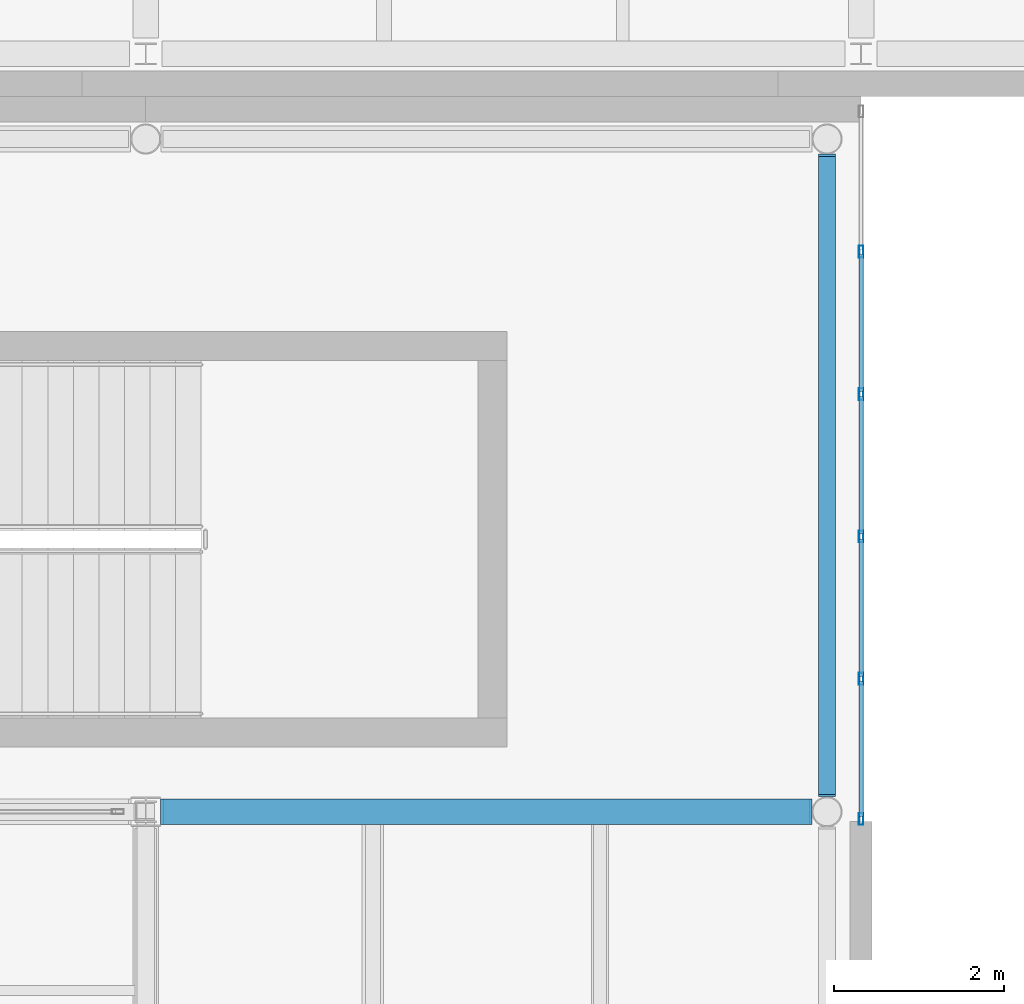
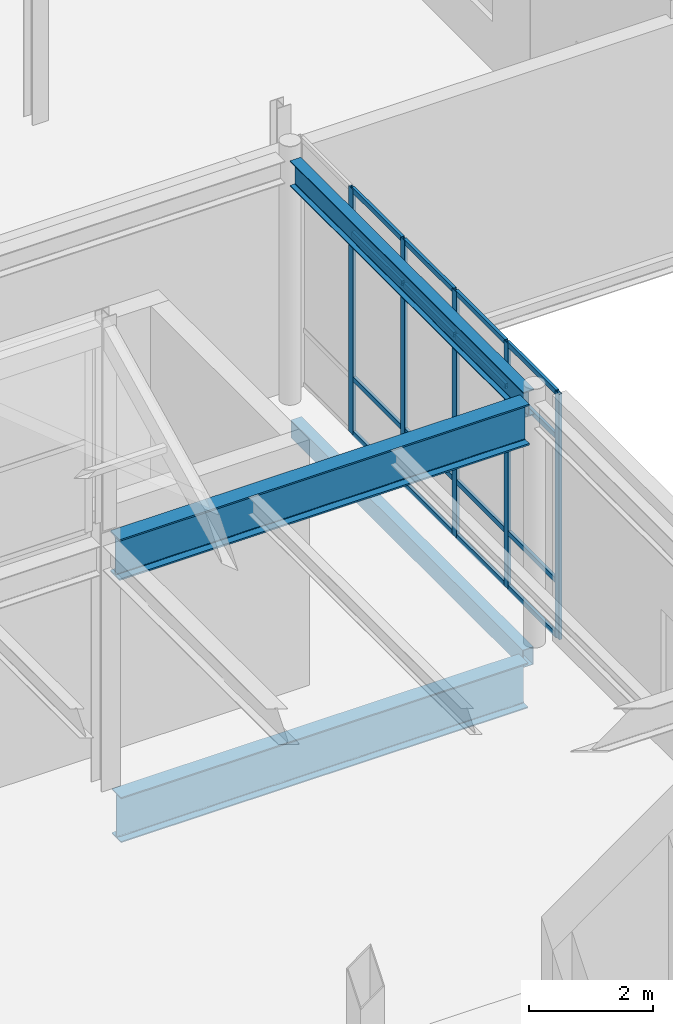
# One storey, part 47 of 91: 21 members, 4 beams, 1 element without a shape of its own.
"""IFC4 building model written with IfcOpenShell, lengths in metres."""

import ifcopenshell
import ifcopenshell.guid

model = None  # the IFC model being written
_history = None  # IfcOwnerHistory: only IFC2X3 demands one
_inside = {}  # id of a spatial element -> (the spatial element, [elements in it])
_under = {}  # id of a project, library or spatial element -> (it, [spatial elements below it])
_declared = {}  # id of a project -> (the project, [libraries it declares])
_typed = {}  # id of a type object -> (the type object, [elements of that type])
_made_of = {}  # id of a material, layer set ... -> (it, [elements and type objects made of it])


def new_model(schema):
    """Start an empty IFC model of exactly this schema.

    Asked for "IFC4X3", IfcOpenShell would pick the latest addendum, in which some entities
    have other attributes; the version numbers below select the first issue.
    IFC2X3 requires an IfcOwnerHistory on every rooted entity: one is made here for all.
    """
    global model, _history
    if schema == "IFC4X3":
        model = ifcopenshell.file(schema_version=(4, 3, 0, 0))
    else:
        model = ifcopenshell.file(schema=schema)
    _inside.clear()
    _under.clear()
    _declared.clear()
    _typed.clear()
    _made_of.clear()
    _history = None
    if model.schema == "IFC2X3":
        org = make("IfcOrganization", Name="unknown")
        user = make(
            "IfcPersonAndOrganization",
            ThePerson=make("IfcPerson", FamilyName="unknown"),
            TheOrganization=org,
        )
        app = make(
            "IfcApplication",
            ApplicationDeveloper=org,
            Version="unknown",
            ApplicationFullName="unknown",
            ApplicationIdentifier="unknown",
        )
        _history = make(
            "IfcOwnerHistory",
            OwningUser=user,
            OwningApplication=app,
            ChangeAction="ADDED",
            CreationDate=0,
        )
    return model


def make(cls, **values):
    """One entity of the class cls with the attributes given. An attribute that is None is left unset."""
    return model.create_entity(
        cls, **{name: value for name, value in values.items() if value is not None}
    )


def rooted(cls, **values):
    """An entity with a GlobalId (a new one), such as an element, a storey or a relation."""
    return make(cls, GlobalId=ifcopenshell.guid.new(), OwnerHistory=_history, **values)


def si_unit(unit_type, name, prefix=None):
    """IfcSIUnit, for example si_unit("LENGTHUNIT", "METRE", prefix="MILLI")."""
    return make("IfcSIUnit", UnitType=unit_type, Prefix=prefix, Name=name)


def assignment(units):
    """IfcUnitAssignment: the units of a project."""
    return None if units is None else make("IfcUnitAssignment", Units=units)


def point(xyz):
    """IfcCartesianPoint."""
    return None if xyz is None else make("IfcCartesianPoint", Coordinates=xyz)


def direction(xyz):
    """IfcDirection."""
    return None if xyz is None else make("IfcDirection", DirectionRatios=xyz)


def frame(location, z_axis=None, x_axis=None):
    """IfcAxis2Placement3D, a coordinate frame: its origin and axes. An axis left out is left unset."""
    return make(
        "IfcAxis2Placement3D",
        Location=point(location),
        Axis=direction(z_axis),
        RefDirection=direction(x_axis),
    )


def frame_2d(location, x_axis=None):
    """IfcAxis2Placement2D, a coordinate frame in the plane: its origin and x axis."""
    return make(
        "IfcAxis2Placement2D", Location=point(location), RefDirection=direction(x_axis)
    )


def origin():
    """The frame at (0, 0, 0) with its axes left unset."""
    return frame((0.0, 0.0, 0.0))


def origin_2d():
    """The frame at (0, 0) in the plane with its x axis left unset."""
    return frame_2d((0.0, 0.0))


def place(relative_to, where):
    """IfcLocalPlacement: puts the frame where relative to a parent placement (None: the world)."""
    return make(
        "IfcLocalPlacement", PlacementRelTo=relative_to, RelativePlacement=where
    )


def context(
    kind, dimensions, precision=None, world=None, true_north=None, identifier=None
):
    """IfcGeometricRepresentationContext, for example the 3D "Model" context."""
    return make(
        "IfcGeometricRepresentationContext",
        ContextIdentifier=identifier,
        ContextType=kind,
        CoordinateSpaceDimension=dimensions,
        Precision=precision,
        WorldCoordinateSystem=world,
        TrueNorth=true_north,
    )


def subcontext(parent, identifier, kind, view, scale=None):
    """IfcGeometricRepresentationSubContext, for example "Body" below "Model"."""
    return make(
        "IfcGeometricRepresentationSubContext",
        ContextIdentifier=identifier,
        ContextType=kind,
        ParentContext=parent,
        TargetScale=scale,
        TargetView=view,
    )


def project(units=None, contexts=None):
    """IfcProject with its units and contexts."""
    return rooted(
        "IfcProject",
        Name="project",
        RepresentationContexts=contexts,
        UnitsInContext=assignment(units),
    )


def spatial(cls, under=None, at=None, **own):
    """A site, building, storey or space (cls), placed at a placement, below another one or the project."""
    s = rooted(cls, ObjectPlacement=at, **own)
    if under is not None:
        _under.setdefault(under.id(), (under, []))[1].append(s)
    return s


def profile(cls, at=None, kind="AREA", **sizes):
    """A parametric profile (cls). Its sizes go by their IFC names, for example OverallWidth=200.0."""
    return make(cls, ProfileType=kind, Position=at, **sizes)


def hollow_rectangle(**sizes):
    """IfcRectangleHollowProfileDef."""
    return profile("IfcRectangleHollowProfileDef", **sizes)


def i_section(**sizes):
    """IfcIShapeProfileDef."""
    return profile("IfcIShapeProfileDef", **sizes)


def extrude(swept, where, along, depth):
    """IfcExtrudedAreaSolid: the profile swept, set in the frame where, extruded along a direction by depth."""
    return make(
        "IfcExtrudedAreaSolid",
        SweptArea=swept,
        Position=where,
        ExtrudedDirection=direction(along),
        Depth=depth,
    )


def shape(context_of_items, identifier, shape_type, items):
    """IfcShapeRepresentation: the items that make up one representation, for example the "Body"."""
    return make(
        "IfcShapeRepresentation",
        ContextOfItems=context_of_items,
        RepresentationIdentifier=identifier,
        RepresentationType=shape_type,
        Items=items,
    )


def material(Name=None, Category=None):
    """IfcMaterial."""
    return make("IfcMaterial", Name=Name, Category=Category)


def layer(
    of_material, thickness, ventilated=None, Name=None, Category=None, Priority=None
):
    """IfcMaterialLayer: one layer of a wall or slab, of a material (None: an air gap)."""
    return make(
        "IfcMaterialLayer",
        Material=of_material,
        LayerThickness=thickness,
        IsVentilated=ventilated,
        Name=Name,
        Category=Category,
        Priority=Priority,
    )


def layer_set(layers, Name=None):
    """IfcMaterialLayerSet."""
    return make("IfcMaterialLayerSet", MaterialLayers=layers, LayerSetName=Name)


def material_profile(
    of_material, cross_section, Name=None, Category=None, Priority=None
):
    """IfcMaterialProfile: a cross section and its material."""
    return make(
        "IfcMaterialProfile",
        Name=Name,
        Material=of_material,
        Profile=cross_section,
        Priority=Priority,
        Category=Category,
    )


def profile_set(profiles, Name=None, composite=None):
    """IfcMaterialProfileSet."""
    return make(
        "IfcMaterialProfileSet",
        Name=Name,
        MaterialProfiles=profiles,
        CompositeProfile=composite,
    )


def made_of(thing, what):
    """Note that an element or type object is made of a material, layer set ...; save() writes the relation."""
    if what is not None:
        _made_of.setdefault(what.id(), (what, []))[1].append(thing)
    return thing


def type_object(cls, material=None, **own):
    """A type object (cls), such as IfcWallType, which elements share."""
    return made_of(rooted(cls, **own), material)


def element(
    cls,
    number,
    at=None,
    inside=None,
    cuts=None,
    type_object=None,
    material=None,
    context=None,
    identifier="Body",
    shape_type=None,
    held_by="IfcProductDefinitionShape",
    body=None,
    shapes=None,
    **own,
):
    """One element of the class cls, such as IfcWall. Its Tag is "e" and its number.

    at: its placement. inside: the storey or other place that contains it. cuts: it is an
    opening in that element (IfcRelVoidsElement). A single representation is given by context,
    identifier, shape_type and body (its items); several are given by shapes. held_by: the class
    of the entity that holds the representations. save() writes the other relations.
    """
    e = rooted(cls, Tag="e%d" % number, ObjectPlacement=at, **own)
    if body is not None:
        shapes = [shape(context, identifier, shape_type, body)]
    if shapes is not None:
        e.Representation = make(held_by, Representations=shapes)
    if inside is not None:
        _inside.setdefault(inside.id(), (inside, []))[1].append(e)
    if cuts is not None:
        rooted(
            "IfcRelVoidsElement", RelatingBuildingElement=cuts, RelatedOpeningElement=e
        )
    if type_object is not None:
        _typed.setdefault(type_object.id(), (type_object, []))[1].append(e)
    return made_of(e, material)


def aggregate(whole, parts):
    """IfcRelAggregates: a whole, such as a stair, and the parts it consists of."""
    return rooted("IfcRelAggregates", RelatingObject=whole, RelatedObjects=parts)


def save(model, path):
    """Write the relations noted so far, then the file.

    IfcRelAggregates (storeys below a building ...), IfcRelContainedInSpatialStructure (elements
    in a storey), IfcRelDefinesByType, IfcRelAssociatesMaterial and IfcRelDeclares: one each for
    every whole, place, type object, material and project.
    """
    for whole, parts in _under.values():
        aggregate(whole, parts)
    for where, things in _inside.values():
        rooted(
            "IfcRelContainedInSpatialStructure",
            RelatedElements=things,
            RelatingStructure=where,
        )
    for kind, things in _typed.values():
        rooted("IfcRelDefinesByType", RelatedObjects=things, RelatingType=kind)
    for what, things in _made_of.values():
        rooted("IfcRelAssociatesMaterial", RelatedObjects=things, RelatingMaterial=what)
    for by, libraries in _declared.values():
        rooted("IfcRelDeclares", RelatingContext=by, RelatedDefinitions=libraries)
    model.write(path)


model = new_model("IFC4")

# Units and contexts
model_context = context("Model", 3, precision=1e-05, world=origin(), true_north=direction((0.0, 1.0)))
body_context = subcontext(model_context, "Body", "Model", "MODEL_VIEW")
ifc_project = project(units=[si_unit("LENGTHUNIT", "METRE"), si_unit("AREAUNIT", "SQUARE_METRE"), si_unit("VOLUMEUNIT", "CUBIC_METRE"), si_unit("PLANEANGLEUNIT", "RADIAN"), si_unit("MASSUNIT", "GRAM", prefix="KILO"), si_unit("THERMODYNAMICTEMPERATUREUNIT", "KELVIN")], contexts=[model_context])

# Site, building, storey
site_placement = place(None, origin())
site = spatial("IfcSite", under=ifc_project, at=site_placement, CompositionType="ELEMENT")
building_placement = place(site_placement, origin())
building = spatial("IfcBuilding", under=site, at=building_placement, Name="Lustrewick Department Store", CompositionType="ELEMENT")
storey_placement = place(building_placement, frame((0.0, 0.0, 21.60009765625)))
storey = spatial("IfcBuildingStorey", under=building, at=storey_placement, Name="L05", CompositionType="ELEMENT", Elevation=21.60009765625)

# Curtain wall, members
ifc_material_1 = material(Name="Thermally broken aluminium 6063-T5", Category="aluminium")
ifc_layer = layer(ifc_material_1, 0.139892578125, Name="Thermally broken aluminium 6063-T5")
ifc_layer_set = layer_set([ifc_layer], Name="Thermally broken aluminium 6063-T5")
curtain_wall_type = type_object("IfcCurtainWallType", Name="CW15", PredefinedType="NOTDEFINED", material=ifc_layer_set)
curtain_wall_placement = place(storey_placement, origin())
curtain_wall = element("IfcCurtainWall", 1, at=curtain_wall_placement, inside=storey, type_object=curtain_wall_type, Name="L05 V3 Curtain Wall CW15", PredefinedType="NOTDEFINED")
ifc_material_profile_1 = material_profile(ifc_material_1, hollow_rectangle(XDim=0.054931640625, YDim=0.139892578125, WallThickness=0.00341796875, at=origin_2d()), Name="ALU-M 55x140x3.5")
ifc_profile_set_1 = profile_set([ifc_material_profile_1], Name="Thermally broken aluminium 6063-T5")
member_type_1 = type_object("IfcMemberType", Name="CW15-M1", PredefinedType="MULLION", material=ifc_profile_set_1)
member_1_placement = place(storey_placement, frame((151.199951171875, 41.9150390625, 0.0), z_axis=(0.0, 0.0, 1.0), x_axis=(-1.0, 0.0, 0.0)))
member_1 = element("IfcMember", 2, at=member_1_placement, type_object=member_type_1, Name="CW15 mullion 1", PredefinedType="MULLION", context=body_context, shape_type="SweptSolid", body=[
    extrude(hollow_rectangle(XDim=0.054931640625, YDim=0.139892578125, WallThickness=0.00341796875, at=origin_2d()), origin(), (0.0, 0.0, 1.0), 4.844970703125),
])
member_2_placement = place(storey_placement, frame((151.199951171875, 43.56005859375, 0.0), z_axis=(0.0, 0.0, 1.0), x_axis=(-1.0, 0.0, 0.0)))
member_2 = element("IfcMember", 3, at=member_2_placement, type_object=member_type_1, Name="CW15 mullion 2", PredefinedType="MULLION", context=body_context, shape_type="SweptSolid", body=[
    extrude(hollow_rectangle(XDim=0.054931640625, YDim=0.139892578125, WallThickness=0.00341796875, at=origin_2d()), origin(), (0.0, 0.0, 1.0), 4.844970703125),
])
member_3_placement = place(storey_placement, frame((151.199951171875, 45.232421875, 0.0), z_axis=(0.0, 0.0, 1.0), x_axis=(-1.0, 0.0, 0.0)))
member_3 = element("IfcMember", 4, at=member_3_placement, type_object=member_type_1, Name="CW15 mullion 3", PredefinedType="MULLION", context=body_context, shape_type="SweptSolid", body=[
    extrude(hollow_rectangle(XDim=0.054931640625, YDim=0.139892578125, WallThickness=0.00341796875, at=origin_2d()), origin(), (0.0, 0.0, 1.0), 4.844970703125),
])
member_4_placement = place(storey_placement, frame((151.199951171875, 46.905029296875, 0.0), z_axis=(0.0, 0.0, 1.0), x_axis=(-1.0, 0.0, 0.0)))
member_4 = element("IfcMember", 5, at=member_4_placement, type_object=member_type_1, Name="CW15 mullion 4", PredefinedType="MULLION", context=body_context, shape_type="SweptSolid", body=[
    extrude(hollow_rectangle(XDim=0.054931640625, YDim=0.139892578125, WallThickness=0.00341796875, at=origin_2d()), origin(), (0.0, 0.0, 1.0), 4.844970703125),
])
member_5_placement = place(storey_placement, frame((151.199951171875, 48.577392578125, 0.0), z_axis=(0.0, 0.0, 1.0), x_axis=(-1.0, 0.0, 0.0)))
member_5 = element("IfcMember", 6, at=member_5_placement, type_object=member_type_1, Name="CW15 mullion 5", PredefinedType="MULLION", context=body_context, shape_type="SweptSolid", body=[
    extrude(hollow_rectangle(XDim=0.054931640625, YDim=0.139892578125, WallThickness=0.00341796875, at=origin_2d()), origin(), (0.0, 0.0, 1.0), 4.844970703125),
])
ifc_material_profile_2 = material_profile(ifc_material_1, hollow_rectangle(XDim=0.054931640625, YDim=0.10009765625, WallThickness=0.0029296875, at=origin_2d()), Name="ALU-T 55x100x3")
ifc_profile_set_2 = profile_set([ifc_material_profile_2], Name="Thermally broken aluminium 6063-T5")
member_type_2 = type_object("IfcMemberType", Name="CW15-T1", PredefinedType="USERDEFINED", material=ifc_profile_set_2)
member_6_placement = place(storey_placement, frame((151.199951171875, 41.9423828125, 0.02734375), z_axis=(0.0, 1.0, 0.0), x_axis=(-1.0, 0.0, 0.0)))
member_6 = element("IfcMember", 7, at=member_6_placement, type_object=member_type_2, Name="CW15 transom 1.1", ObjectType="TRANSOM", PredefinedType="USERDEFINED", context=body_context, shape_type="SweptSolid", body=[
    extrude(hollow_rectangle(XDim=0.054931640625, YDim=0.10009765625, WallThickness=0.0029296875, at=origin_2d()), origin(), (0.0, 0.0, 1.0), 1.590087890625),
])
member_7_placement = place(storey_placement, frame((151.199951171875, 41.9423828125, 1.099853515625), z_axis=(0.0, 1.0, 0.0), x_axis=(-1.0, 0.0, 0.0)))
member_7 = element("IfcMember", 8, at=member_7_placement, type_object=member_type_2, Name="CW15 transom 1.2", ObjectType="TRANSOM", PredefinedType="USERDEFINED", context=body_context, shape_type="SweptSolid", body=[
    extrude(hollow_rectangle(XDim=0.054931640625, YDim=0.10009765625, WallThickness=0.0029296875, at=origin_2d()), origin(), (0.0, 0.0, 1.0), 1.590087890625),
])
member_8_placement = place(storey_placement, frame((151.199951171875, 41.9423828125, 3.94482421875), z_axis=(0.0, 1.0, 0.0), x_axis=(-1.0, 0.0, 0.0)))
member_8 = element("IfcMember", 9, at=member_8_placement, type_object=member_type_2, Name="CW15 transom 1.3", ObjectType="TRANSOM", PredefinedType="USERDEFINED", context=body_context, shape_type="SweptSolid", body=[
    extrude(hollow_rectangle(XDim=0.054931640625, YDim=0.10009765625, WallThickness=0.0029296875, at=origin_2d()), origin(), (0.0, 0.0, 1.0), 1.590087890625),
])
member_9_placement = place(storey_placement, frame((151.199951171875, 41.9423828125, 4.8173828125), z_axis=(0.0, 1.0, 0.0), x_axis=(-1.0, 0.0, 0.0)))
member_9 = element("IfcMember", 10, at=member_9_placement, type_object=member_type_2, Name="CW15 transom 1.4", ObjectType="TRANSOM", PredefinedType="USERDEFINED", context=body_context, shape_type="SweptSolid", body=[
    extrude(hollow_rectangle(XDim=0.054931640625, YDim=0.10009765625, WallThickness=0.0029296875, at=origin_2d()), origin(), (0.0, 0.0, 1.0), 1.590087890625),
])
member_10_placement = place(storey_placement, frame((151.199951171875, 43.58740234375, 0.02734375), z_axis=(0.0, 1.0, 0.0), x_axis=(-1.0, 0.0, 0.0)))
member_10 = element("IfcMember", 11, at=member_10_placement, type_object=member_type_2, Name="CW15 transom 2.1", ObjectType="TRANSOM", PredefinedType="USERDEFINED", context=body_context, shape_type="SweptSolid", body=[
    extrude(hollow_rectangle(XDim=0.054931640625, YDim=0.10009765625, WallThickness=0.0029296875, at=origin_2d()), origin(), (0.0, 0.0, 1.0), 1.61767578125),
])
member_11_placement = place(storey_placement, frame((151.199951171875, 43.58740234375, 1.099853515625), z_axis=(0.0, 1.0, 0.0), x_axis=(-1.0, 0.0, 0.0)))
member_11 = element("IfcMember", 12, at=member_11_placement, type_object=member_type_2, Name="CW15 transom 2.2", ObjectType="TRANSOM", PredefinedType="USERDEFINED", context=body_context, shape_type="SweptSolid", body=[
    extrude(hollow_rectangle(XDim=0.054931640625, YDim=0.10009765625, WallThickness=0.0029296875, at=origin_2d()), origin(), (0.0, 0.0, 1.0), 1.61767578125),
])
member_12_placement = place(storey_placement, frame((151.199951171875, 43.58740234375, 3.94482421875), z_axis=(0.0, 1.0, 0.0), x_axis=(-1.0, 0.0, 0.0)))
member_12 = element("IfcMember", 13, at=member_12_placement, type_object=member_type_2, Name="CW15 transom 2.3", ObjectType="TRANSOM", PredefinedType="USERDEFINED", context=body_context, shape_type="SweptSolid", body=[
    extrude(hollow_rectangle(XDim=0.054931640625, YDim=0.10009765625, WallThickness=0.0029296875, at=origin_2d()), origin(), (0.0, 0.0, 1.0), 1.61767578125),
])
member_13_placement = place(storey_placement, frame((151.199951171875, 43.58740234375, 4.8173828125), z_axis=(0.0, 1.0, 0.0), x_axis=(-1.0, 0.0, 0.0)))
member_13 = element("IfcMember", 14, at=member_13_placement, type_object=member_type_2, Name="CW15 transom 2.4", ObjectType="TRANSOM", PredefinedType="USERDEFINED", context=body_context, shape_type="SweptSolid", body=[
    extrude(hollow_rectangle(XDim=0.054931640625, YDim=0.10009765625, WallThickness=0.0029296875, at=origin_2d()), origin(), (0.0, 0.0, 1.0), 1.61767578125),
])
member_14_placement = place(storey_placement, frame((151.199951171875, 45.260009765625, 0.02734375), z_axis=(0.0, 1.0, 0.0), x_axis=(-1.0, 0.0, 0.0)))
member_14 = element("IfcMember", 15, at=member_14_placement, type_object=member_type_2, Name="CW15 transom 3.1", ObjectType="TRANSOM", PredefinedType="USERDEFINED", context=body_context, shape_type="SweptSolid", body=[
    extrude(hollow_rectangle(XDim=0.054931640625, YDim=0.10009765625, WallThickness=0.0029296875, at=origin_2d()), origin(), (0.0, 0.0, 1.0), 1.617431640625),
])
member_15_placement = place(storey_placement, frame((151.199951171875, 45.260009765625, 1.099853515625), z_axis=(0.0, 1.0, 0.0), x_axis=(-1.0, 0.0, 0.0)))
member_15 = element("IfcMember", 16, at=member_15_placement, type_object=member_type_2, Name="CW15 transom 3.2", ObjectType="TRANSOM", PredefinedType="USERDEFINED", context=body_context, shape_type="SweptSolid", body=[
    extrude(hollow_rectangle(XDim=0.054931640625, YDim=0.10009765625, WallThickness=0.0029296875, at=origin_2d()), origin(), (0.0, 0.0, 1.0), 1.617431640625),
])
member_16_placement = place(storey_placement, frame((151.199951171875, 45.260009765625, 3.94482421875), z_axis=(0.0, 1.0, 0.0), x_axis=(-1.0, 0.0, 0.0)))
member_16 = element("IfcMember", 17, at=member_16_placement, type_object=member_type_2, Name="CW15 transom 3.3", ObjectType="TRANSOM", PredefinedType="USERDEFINED", context=body_context, shape_type="SweptSolid", body=[
    extrude(hollow_rectangle(XDim=0.054931640625, YDim=0.10009765625, WallThickness=0.0029296875, at=origin_2d()), origin(), (0.0, 0.0, 1.0), 1.617431640625),
])
member_17_placement = place(storey_placement, frame((151.199951171875, 45.260009765625, 4.8173828125), z_axis=(0.0, 1.0, 0.0), x_axis=(-1.0, 0.0, 0.0)))
member_17 = element("IfcMember", 18, at=member_17_placement, type_object=member_type_2, Name="CW15 transom 3.4", ObjectType="TRANSOM", PredefinedType="USERDEFINED", context=body_context, shape_type="SweptSolid", body=[
    extrude(hollow_rectangle(XDim=0.054931640625, YDim=0.10009765625, WallThickness=0.0029296875, at=origin_2d()), origin(), (0.0, 0.0, 1.0), 1.617431640625),
])
member_18_placement = place(storey_placement, frame((151.199951171875, 46.9326171875, 0.02734375), z_axis=(0.0, 1.0, 0.0), x_axis=(-1.0, 0.0, 0.0)))
member_18 = element("IfcMember", 19, at=member_18_placement, type_object=member_type_2, Name="CW15 transom 4.1", ObjectType="TRANSOM", PredefinedType="USERDEFINED", context=body_context, shape_type="SweptSolid", body=[
    extrude(hollow_rectangle(XDim=0.054931640625, YDim=0.10009765625, WallThickness=0.0029296875, at=origin_2d()), origin(), (0.0, 0.0, 1.0), 1.617431640625),
])
member_19_placement = place(storey_placement, frame((151.199951171875, 46.9326171875, 1.099853515625), z_axis=(0.0, 1.0, 0.0), x_axis=(-1.0, 0.0, 0.0)))
member_19 = element("IfcMember", 20, at=member_19_placement, type_object=member_type_2, Name="CW15 transom 4.2", ObjectType="TRANSOM", PredefinedType="USERDEFINED", context=body_context, shape_type="SweptSolid", body=[
    extrude(hollow_rectangle(XDim=0.054931640625, YDim=0.10009765625, WallThickness=0.0029296875, at=origin_2d()), origin(), (0.0, 0.0, 1.0), 1.617431640625),
])
member_20_placement = place(storey_placement, frame((151.199951171875, 46.9326171875, 3.94482421875), z_axis=(0.0, 1.0, 0.0), x_axis=(-1.0, 0.0, 0.0)))
member_20 = element("IfcMember", 21, at=member_20_placement, type_object=member_type_2, Name="CW15 transom 4.3", ObjectType="TRANSOM", PredefinedType="USERDEFINED", context=body_context, shape_type="SweptSolid", body=[
    extrude(hollow_rectangle(XDim=0.054931640625, YDim=0.10009765625, WallThickness=0.0029296875, at=origin_2d()), origin(), (0.0, 0.0, 1.0), 1.617431640625),
])
member_21_placement = place(storey_placement, frame((151.199951171875, 46.9326171875, 4.8173828125), z_axis=(0.0, 1.0, 0.0), x_axis=(-1.0, 0.0, 0.0)))
member_21 = element("IfcMember", 22, at=member_21_placement, type_object=member_type_2, Name="CW15 transom 4.4", ObjectType="TRANSOM", PredefinedType="USERDEFINED", context=body_context, shape_type="SweptSolid", body=[
    extrude(hollow_rectangle(XDim=0.054931640625, YDim=0.10009765625, WallThickness=0.0029296875, at=origin_2d()), origin(), (0.0, 0.0, 1.0), 1.617431640625),
])
aggregate(curtain_wall, [member_1, member_2, member_3, member_4, member_5, member_6, member_7, member_8, member_9, member_10, member_11, member_12, member_13, member_14, member_15, member_16, member_17, member_18, member_19, member_20, member_21])

# Beams
ifc_material_2 = material(Name="Structural steel Q355C", Category="steel")
ifc_material_profile_3 = material_profile(ifc_material_2, i_section(OverallWidth=0.299072265625, OverallDepth=0.889892578125, WebThickness=0.014892578125, FlangeThickness=0.02294921875, FilletRadius=0.02392578125, at=origin_2d()), Name="HN 890x299x15x23")
ifc_profile_set_3 = profile_set([ifc_material_profile_3], Name="Structural steel Q355C")
beam_type_1 = type_object("IfcBeamType", Name="G03", PredefinedType="BEAM", material=ifc_profile_set_3)
beam_1_placement = place(storey_placement, frame((143.0009765625, 42.0, -0.7001953125), z_axis=(1.0, 0.0, 0.0), x_axis=(0.0, 1.0, 0.0)))
element("IfcBeam", 23, at=beam_1_placement, inside=storey, type_object=beam_type_1, Name="L05 V3 Girder G03", PredefinedType="BEAM", context=body_context, shape_type="SweptSolid", body=[
    extrude(i_section(OverallWidth=0.299072265625, OverallDepth=0.889892578125, WebThickness=0.014892578125, FlangeThickness=0.02294921875, FilletRadius=0.02392578125, at=origin_2d()), origin(), (0.0, 0.0, 1.0), 7.595947265625),
])
ifc_material_profile_4 = material_profile(ifc_material_2, i_section(OverallWidth=0.302001953125, OverallDepth=0.80810546875, WebThickness=0.01611328125, FlangeThickness=0.030029296875, FilletRadius=0.02197265625, at=origin_2d()), Name="HN 808x302x16x30")
ifc_profile_set_4 = profile_set([ifc_material_profile_4], Name="Structural steel Q355C")
beam_type_2 = type_object("IfcBeamType", Name="G04", PredefinedType="BEAM", material=ifc_profile_set_4)
beam_2_placement = place(storey_placement, frame((142.97412109375, 42.0, 4.44091796875), z_axis=(1.0, 0.0, 0.0), x_axis=(0.0, 1.0, 0.0)))
element("IfcBeam", 24, at=beam_2_placement, inside=storey, type_object=beam_type_2, Name="L05 V3 Girder G04", PredefinedType="BEAM", context=body_context, shape_type="SweptSolid", body=[
    extrude(i_section(OverallWidth=0.302001953125, OverallDepth=0.80810546875, WebThickness=0.01611328125, FlangeThickness=0.030029296875, FilletRadius=0.02197265625, at=origin_2d()), origin(), (0.0, 0.0, 1.0), 7.64794921875),
])
ifc_material_3 = material(Name="Structural steel Q355B", Category="steel")
ifc_material_profile_5 = material_profile(ifc_material_3, i_section(OverallWidth=0.200927734375, OverallDepth=0.506103515625, WebThickness=0.010986328125, FlangeThickness=0.01904296875, FilletRadius=0.01611328125, at=origin_2d()), Name="HN 506x201x11x19")
ifc_profile_set_5 = profile_set([ifc_material_profile_5], Name="Structural steel Q355B")
beam_type_3 = type_object("IfcBeamType", Name="SP01", PredefinedType="SPANDREL", material=ifc_profile_set_5)
beam_3_placement = place(storey_placement, frame((150.800048828125, 42.177978515625, 4.591796875), z_axis=(0.0, 1.0, 0.0), x_axis=(-1.0, 0.0, 0.0)))
element("IfcBeam", 25, at=beam_3_placement, inside=storey, type_object=beam_type_3, Name="L05 V3 Girder SP01", PredefinedType="SPANDREL", context=body_context, shape_type="SweptSolid", body=[
    extrude(i_section(OverallWidth=0.200927734375, OverallDepth=0.506103515625, WebThickness=0.010986328125, FlangeThickness=0.01904296875, FilletRadius=0.01611328125, at=origin_2d()), origin(), (0.0, 0.0, 1.0), 7.5439453125),
])
ifc_material_profile_6 = material_profile(ifc_material_2, hollow_rectangle(XDim=0.199951171875, YDim=0.35009765625, WallThickness=0.011962890625, at=origin_2d()), Name="RHS 350x200x12")
ifc_profile_set_6 = profile_set([ifc_material_profile_6], Name="Structural steel Q355C")
beam_type_4 = type_object("IfcBeamType", Name="SP03", PredefinedType="SPANDREL", material=ifc_profile_set_6)
beam_4_placement = place(storey_placement, frame((150.800048828125, 42.202880859375, -0.43017578125), z_axis=(0.0, 1.0, 0.0), x_axis=(-1.0, 0.0, 0.0)))
element("IfcBeam", 26, at=beam_4_placement, inside=storey, type_object=beam_type_4, Name="L05 V3 Girder SP03", PredefinedType="SPANDREL", context=body_context, shape_type="SweptSolid", body=[
    extrude(hollow_rectangle(XDim=0.199951171875, YDim=0.35009765625, WallThickness=0.011962890625, at=origin_2d()), origin(), (0.0, 0.0, 1.0), 7.494140625),
])

save(model, "model.ifc")
